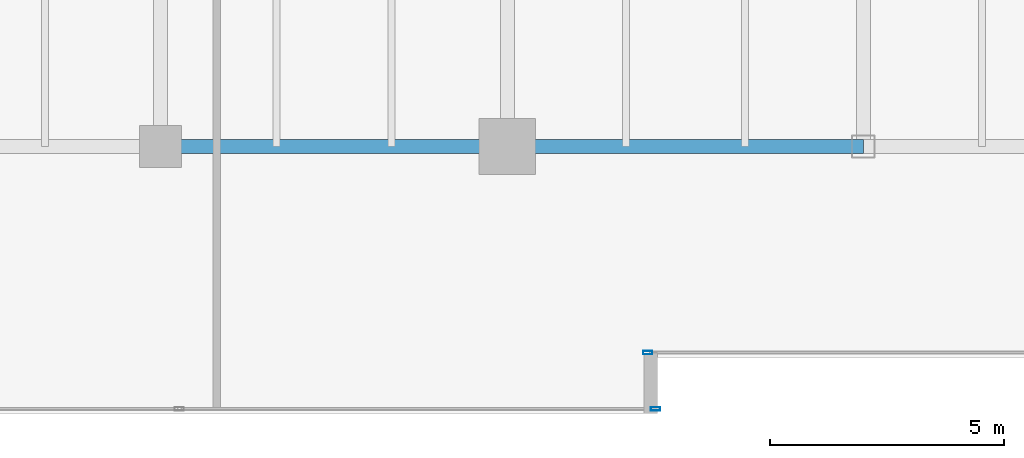
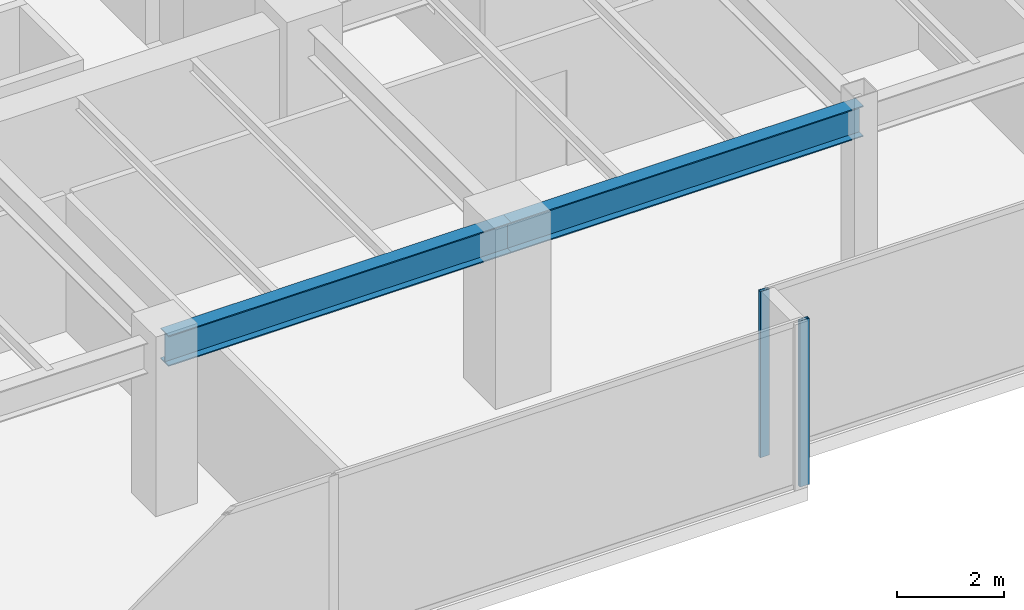
# One storey, part 4 of 30: 2 beams, 2 members, 2 elements without a shape of their own.
"""IFC4 building model written with IfcOpenShell, lengths in metres."""

import ifcopenshell
import ifcopenshell.guid

model = None  # the IFC model being written
_history = None  # IfcOwnerHistory: only IFC2X3 demands one
_inside = {}  # id of a spatial element -> (the spatial element, [elements in it])
_under = {}  # id of a project, library or spatial element -> (it, [spatial elements below it])
_declared = {}  # id of a project -> (the project, [libraries it declares])
_typed = {}  # id of a type object -> (the type object, [elements of that type])
_made_of = {}  # id of a material, layer set ... -> (it, [elements and type objects made of it])


def new_model(schema):
    """Start an empty IFC model of exactly this schema.

    Asked for "IFC4X3", IfcOpenShell would pick the latest addendum, in which some entities
    have other attributes; the version numbers below select the first issue.
    IFC2X3 requires an IfcOwnerHistory on every rooted entity: one is made here for all.
    """
    global model, _history
    if schema == "IFC4X3":
        model = ifcopenshell.file(schema_version=(4, 3, 0, 0))
    else:
        model = ifcopenshell.file(schema=schema)
    _inside.clear()
    _under.clear()
    _declared.clear()
    _typed.clear()
    _made_of.clear()
    _history = None
    if model.schema == "IFC2X3":
        org = make("IfcOrganization", Name="unknown")
        user = make(
            "IfcPersonAndOrganization",
            ThePerson=make("IfcPerson", FamilyName="unknown"),
            TheOrganization=org,
        )
        app = make(
            "IfcApplication",
            ApplicationDeveloper=org,
            Version="unknown",
            ApplicationFullName="unknown",
            ApplicationIdentifier="unknown",
        )
        _history = make(
            "IfcOwnerHistory",
            OwningUser=user,
            OwningApplication=app,
            ChangeAction="ADDED",
            CreationDate=0,
        )
    return model


def make(cls, **values):
    """One entity of the class cls with the attributes given. An attribute that is None is left unset."""
    return model.create_entity(
        cls, **{name: value for name, value in values.items() if value is not None}
    )


def rooted(cls, **values):
    """An entity with a GlobalId (a new one), such as an element, a storey or a relation."""
    return make(cls, GlobalId=ifcopenshell.guid.new(), OwnerHistory=_history, **values)


def si_unit(unit_type, name, prefix=None):
    """IfcSIUnit, for example si_unit("LENGTHUNIT", "METRE", prefix="MILLI")."""
    return make("IfcSIUnit", UnitType=unit_type, Prefix=prefix, Name=name)


def assignment(units):
    """IfcUnitAssignment: the units of a project."""
    return None if units is None else make("IfcUnitAssignment", Units=units)


def point(xyz):
    """IfcCartesianPoint."""
    return None if xyz is None else make("IfcCartesianPoint", Coordinates=xyz)


def direction(xyz):
    """IfcDirection."""
    return None if xyz is None else make("IfcDirection", DirectionRatios=xyz)


def frame(location, z_axis=None, x_axis=None):
    """IfcAxis2Placement3D, a coordinate frame: its origin and axes. An axis left out is left unset."""
    return make(
        "IfcAxis2Placement3D",
        Location=point(location),
        Axis=direction(z_axis),
        RefDirection=direction(x_axis),
    )


def frame_2d(location, x_axis=None):
    """IfcAxis2Placement2D, a coordinate frame in the plane: its origin and x axis."""
    return make(
        "IfcAxis2Placement2D", Location=point(location), RefDirection=direction(x_axis)
    )


def origin():
    """The frame at (0, 0, 0) with its axes left unset."""
    return frame((0.0, 0.0, 0.0))


def origin_2d():
    """The frame at (0, 0) in the plane with its x axis left unset."""
    return frame_2d((0.0, 0.0))


def place(relative_to, where):
    """IfcLocalPlacement: puts the frame where relative to a parent placement (None: the world)."""
    return make(
        "IfcLocalPlacement", PlacementRelTo=relative_to, RelativePlacement=where
    )


def context(
    kind, dimensions, precision=None, world=None, true_north=None, identifier=None
):
    """IfcGeometricRepresentationContext, for example the 3D "Model" context."""
    return make(
        "IfcGeometricRepresentationContext",
        ContextIdentifier=identifier,
        ContextType=kind,
        CoordinateSpaceDimension=dimensions,
        Precision=precision,
        WorldCoordinateSystem=world,
        TrueNorth=true_north,
    )


def subcontext(parent, identifier, kind, view, scale=None):
    """IfcGeometricRepresentationSubContext, for example "Body" below "Model"."""
    return make(
        "IfcGeometricRepresentationSubContext",
        ContextIdentifier=identifier,
        ContextType=kind,
        ParentContext=parent,
        TargetScale=scale,
        TargetView=view,
    )


def project(units=None, contexts=None):
    """IfcProject with its units and contexts."""
    return rooted(
        "IfcProject",
        Name="project",
        RepresentationContexts=contexts,
        UnitsInContext=assignment(units),
    )


def spatial(cls, under=None, at=None, **own):
    """A site, building, storey or space (cls), placed at a placement, below another one or the project."""
    s = rooted(cls, ObjectPlacement=at, **own)
    if under is not None:
        _under.setdefault(under.id(), (under, []))[1].append(s)
    return s


def profile(cls, at=None, kind="AREA", **sizes):
    """A parametric profile (cls). Its sizes go by their IFC names, for example OverallWidth=200.0."""
    return make(cls, ProfileType=kind, Position=at, **sizes)


def hollow_rectangle(**sizes):
    """IfcRectangleHollowProfileDef."""
    return profile("IfcRectangleHollowProfileDef", **sizes)


def i_section(**sizes):
    """IfcIShapeProfileDef."""
    return profile("IfcIShapeProfileDef", **sizes)


def extrude(swept, where, along, depth):
    """IfcExtrudedAreaSolid: the profile swept, set in the frame where, extruded along a direction by depth."""
    return make(
        "IfcExtrudedAreaSolid",
        SweptArea=swept,
        Position=where,
        ExtrudedDirection=direction(along),
        Depth=depth,
    )


def shape(context_of_items, identifier, shape_type, items):
    """IfcShapeRepresentation: the items that make up one representation, for example the "Body"."""
    return make(
        "IfcShapeRepresentation",
        ContextOfItems=context_of_items,
        RepresentationIdentifier=identifier,
        RepresentationType=shape_type,
        Items=items,
    )


def source(mapping_origin, context_of_items, identifier, shape_type, items):
    """IfcRepresentationMap: a shape defined once, which mapped items show again and again."""
    return make(
        "IfcRepresentationMap",
        MappingOrigin=mapping_origin,
        MappedRepresentation=shape(context_of_items, identifier, shape_type, items),
    )


def transform(
    local_origin,
    x_axis=None,
    y_axis=None,
    z_axis=None,
    scale=None,
    scale2=None,
    scale3=None,
    uniform=True,
):
    """IfcCartesianTransformationOperator3D, or its non-uniform kind. x_axis, y_axis, z_axis: its Axis1, 2, 3."""
    if uniform:
        return make(
            "IfcCartesianTransformationOperator3D",
            Axis1=direction(x_axis),
            Axis2=direction(y_axis),
            LocalOrigin=point(local_origin),
            Scale=scale,
            Axis3=direction(z_axis),
        )
    return make(
        "IfcCartesianTransformationOperator3DnonUniform",
        Axis1=direction(x_axis),
        Axis2=direction(y_axis),
        LocalOrigin=point(local_origin),
        Scale=scale,
        Axis3=direction(z_axis),
        Scale2=scale2,
        Scale3=scale3,
    )


def mapped(mapping_source, mapping_target):
    """IfcMappedItem: shows the shape of a source again, moved by a transform."""
    return make(
        "IfcMappedItem", MappingSource=mapping_source, MappingTarget=mapping_target
    )


def material(Name=None, Category=None):
    """IfcMaterial."""
    return make("IfcMaterial", Name=Name, Category=Category)


def layer(
    of_material, thickness, ventilated=None, Name=None, Category=None, Priority=None
):
    """IfcMaterialLayer: one layer of a wall or slab, of a material (None: an air gap)."""
    return make(
        "IfcMaterialLayer",
        Material=of_material,
        LayerThickness=thickness,
        IsVentilated=ventilated,
        Name=Name,
        Category=Category,
        Priority=Priority,
    )


def layer_set(layers, Name=None):
    """IfcMaterialLayerSet."""
    return make("IfcMaterialLayerSet", MaterialLayers=layers, LayerSetName=Name)


def material_profile(
    of_material, cross_section, Name=None, Category=None, Priority=None
):
    """IfcMaterialProfile: a cross section and its material."""
    return make(
        "IfcMaterialProfile",
        Name=Name,
        Material=of_material,
        Profile=cross_section,
        Priority=Priority,
        Category=Category,
    )


def profile_set(profiles, Name=None, composite=None):
    """IfcMaterialProfileSet."""
    return make(
        "IfcMaterialProfileSet",
        Name=Name,
        MaterialProfiles=profiles,
        CompositeProfile=composite,
    )


def made_of(thing, what):
    """Note that an element or type object is made of a material, layer set ...; save() writes the relation."""
    if what is not None:
        _made_of.setdefault(what.id(), (what, []))[1].append(thing)
    return thing


def type_object(cls, material=None, **own):
    """A type object (cls), such as IfcWallType, which elements share."""
    return made_of(rooted(cls, **own), material)


def type_shapes(of_type, sources):
    """Give a type object the sources (RepresentationMaps) that its elements show as mapped items."""
    of_type.RepresentationMaps = sources


def element(
    cls,
    number,
    at=None,
    inside=None,
    cuts=None,
    type_object=None,
    material=None,
    context=None,
    identifier="Body",
    shape_type=None,
    held_by="IfcProductDefinitionShape",
    body=None,
    shapes=None,
    **own,
):
    """One element of the class cls, such as IfcWall. Its Tag is "e" and its number.

    at: its placement. inside: the storey or other place that contains it. cuts: it is an
    opening in that element (IfcRelVoidsElement). A single representation is given by context,
    identifier, shape_type and body (its items); several are given by shapes. held_by: the class
    of the entity that holds the representations. save() writes the other relations.
    """
    e = rooted(cls, Tag="e%d" % number, ObjectPlacement=at, **own)
    if body is not None:
        shapes = [shape(context, identifier, shape_type, body)]
    if shapes is not None:
        e.Representation = make(held_by, Representations=shapes)
    if inside is not None:
        _inside.setdefault(inside.id(), (inside, []))[1].append(e)
    if cuts is not None:
        rooted(
            "IfcRelVoidsElement", RelatingBuildingElement=cuts, RelatedOpeningElement=e
        )
    if type_object is not None:
        _typed.setdefault(type_object.id(), (type_object, []))[1].append(e)
    return made_of(e, material)


def aggregate(whole, parts):
    """IfcRelAggregates: a whole, such as a stair, and the parts it consists of."""
    return rooted("IfcRelAggregates", RelatingObject=whole, RelatedObjects=parts)


def save(model, path):
    """Write the relations noted so far, then the file.

    IfcRelAggregates (storeys below a building ...), IfcRelContainedInSpatialStructure (elements
    in a storey), IfcRelDefinesByType, IfcRelAssociatesMaterial and IfcRelDeclares: one each for
    every whole, place, type object, material and project.
    """
    for whole, parts in _under.values():
        aggregate(whole, parts)
    for where, things in _inside.values():
        rooted(
            "IfcRelContainedInSpatialStructure",
            RelatedElements=things,
            RelatingStructure=where,
        )
    for kind, things in _typed.values():
        rooted("IfcRelDefinesByType", RelatedObjects=things, RelatingType=kind)
    for what, things in _made_of.values():
        rooted("IfcRelAssociatesMaterial", RelatedObjects=things, RelatingMaterial=what)
    for by, libraries in _declared.values():
        rooted("IfcRelDeclares", RelatingContext=by, RelatedDefinitions=libraries)
    model.write(path)


model = new_model("IFC4")

# Units and contexts
model_context = context("Model", 3, precision=1e-05, world=origin(), true_north=direction((0.0, 1.0)))
body_context = subcontext(model_context, "Body", "Model", "MODEL_VIEW")
ifc_project = project(units=[si_unit("LENGTHUNIT", "METRE"), si_unit("AREAUNIT", "SQUARE_METRE"), si_unit("VOLUMEUNIT", "CUBIC_METRE"), si_unit("PLANEANGLEUNIT", "RADIAN"), si_unit("MASSUNIT", "GRAM", prefix="KILO")], contexts=[model_context])

# Site, building, storey
site_placement = place(None, origin())
site = spatial("IfcSite", under=ifc_project, at=site_placement, CompositionType="ELEMENT")
building_placement = place(site_placement, origin())
building = spatial("IfcBuilding", under=site, at=building_placement, Name="Haelvirn Gate Laboratories", CompositionType="ELEMENT")
storey_placement = place(building_placement, frame((0.0, 0.0, 121.5)))
storey = spatial("IfcBuildingStorey", under=building, at=storey_placement, Name="L29", CompositionType="ELEMENT", Elevation=121.5)

# Beams
ifc_material_1 = material(Name="Steel SM355", Category="steel")
ifc_material_profile_1 = material_profile(ifc_material_1, i_section(OverallWidth=0.300048828125, OverallDepth=0.699951171875, WebThickness=0.012939453125, FlangeThickness=0.02392578125, at=origin_2d()), Name="H-700x300x13x24")
ifc_profile_set_1 = profile_set([ifc_material_profile_1], Name="Steel SM355")
beam_type = type_object("IfcBeamType", Name="BM-G-700", PredefinedType="BEAM", material=ifc_profile_set_1)
shared_shape_1 = source(origin(), body_context, "Body", "SweptSolid", [
    extrude(i_section(OverallWidth=0.300048828125, OverallDepth=0.699951171875, WebThickness=0.012939453125, FlangeThickness=0.02392578125, at=origin_2d()), origin(), (0.0, 0.0, 1.0), 7.39990234375),
])
beam_1_placement = place(storey_placement, frame((14.800048828125, 7.0, 3.43994140625), z_axis=(1.0, 0.0, 0.0), x_axis=(0.0, 1.0, 0.0)))
element("IfcBeam", 1, at=beam_1_placement, inside=storey, type_object=beam_type, Name="L29 Primary Girder Y7.0 (14.8-22.2)", PredefinedType="BEAM", context=body_context, shape_type="MappedRepresentation", body=[
    mapped(shared_shape_1, transform((0.0, 0.0, 0.0), scale=1.0)),
])
shared_shape_2 = source(origin(), body_context, "Body", "SweptSolid", [
    extrude(i_section(OverallWidth=0.300048828125, OverallDepth=0.699951171875, WebThickness=0.012939453125, FlangeThickness=0.02392578125, at=origin_2d()), origin(), (0.0, 0.0, 1.0), 7.60009765625),
])
type_shapes(beam_type, [shared_shape_1, shared_shape_2])
beam_2_placement = place(storey_placement, frame((22.199951171875, 7.0, 3.43994140625), z_axis=(1.0, 0.0, 0.0), x_axis=(0.0, 1.0, 0.0)))
element("IfcBeam", 2, at=beam_2_placement, inside=storey, type_object=beam_type, Name="L29 Primary Girder Y7.0 (22.2-29.8)", PredefinedType="BEAM", context=body_context, shape_type="MappedRepresentation", body=[
    mapped(shared_shape_2, transform((0.0, 0.0, 0.0), scale=1.0)),
])

# Curtain wall, member
ifc_material_2 = material(Name="Anodised bronze unitised aluminium & triple low-E glass", Category="aluminium")
ifc_layer = layer(ifc_material_2, 0.179931640625, Name="CW-SYS-3")
ifc_layer_set = layer_set([ifc_layer], Name="Anodised bronze unitised aluminium & triple low-E glass")
curtain_wall_type = type_object("IfcCurtainWallType", Name="CW-SYS-3", PredefinedType="NOTDEFINED", material=ifc_layer_set)
curtain_wall_1_placement = place(storey_placement, origin())
curtain_wall_1 = element("IfcCurtainWall", 3, at=curtain_wall_1_placement, inside=storey, type_object=curtain_wall_type, Name="L29 Unitised Curtain Wall CW-L29-P0-E00-1", PredefinedType="NOTDEFINED")
ifc_material_3 = material(Name="Extruded aluminium 6063-T6 (anodised bronze)", Category="aluminium")
ifc_material_profile_2 = material_profile(ifc_material_3, hollow_rectangle(XDim=0.074951171875, YDim=0.199951171875, WallThickness=0.0048828125, at=origin_2d()), Name="CWM-200x75x5")
ifc_profile_set_2 = profile_set([ifc_material_profile_2], Name="Extruded aluminium 6063-T6 (anodised bronze)")
member_type = type_object("IfcMemberType", Name="CWM-T200", PredefinedType="MULLION", material=ifc_profile_set_2)
shared_shape_3 = source(origin(), body_context, "Body", "SweptSolid", [
    extrude(hollow_rectangle(XDim=0.074951171875, YDim=0.199951171875, WallThickness=0.0048828125, at=origin_2d()), origin(), (0.0, 0.0, 1.0), 3.7900390625),
])
type_shapes(member_type, [shared_shape_3])
member_1_placement = place(storey_placement, frame((25.362548828125, 1.39990234375, 0.0), z_axis=(0.0, 0.0, 1.0), x_axis=(0.0, 1.0, 0.0)))
member_1 = element("IfcMember", 4, at=member_1_placement, type_object=member_type, Name="CW3 mullion 3", PredefinedType="MULLION", context=body_context, shape_type="MappedRepresentation", body=[
    mapped(shared_shape_3, transform((0.0, 0.0, 0.0), scale=1.0)),
])
aggregate(curtain_wall_1, [member_1])

curtain_wall_2_placement = place(storey_placement, origin())
curtain_wall_2 = element("IfcCurtainWall", 5, at=curtain_wall_2_placement, inside=storey, type_object=curtain_wall_type, Name="L29 Unitised Curtain Wall CW-L29-P0-E02-1", PredefinedType="NOTDEFINED")
member_2_placement = place(storey_placement, frame((25.197509765625, 2.60009765625, 0.0), z_axis=(0.0, 0.0, 1.0), x_axis=(0.0, 1.0, 0.0)))
member_2 = element("IfcMember", 6, at=member_2_placement, type_object=member_type, Name="CW3 mullion 1", PredefinedType="MULLION", context=body_context, shape_type="MappedRepresentation", body=[
    mapped(shared_shape_3, transform((0.0, 0.0, 0.0), scale=1.0)),
])
aggregate(curtain_wall_2, [member_2])

save(model, "model.ifc")
